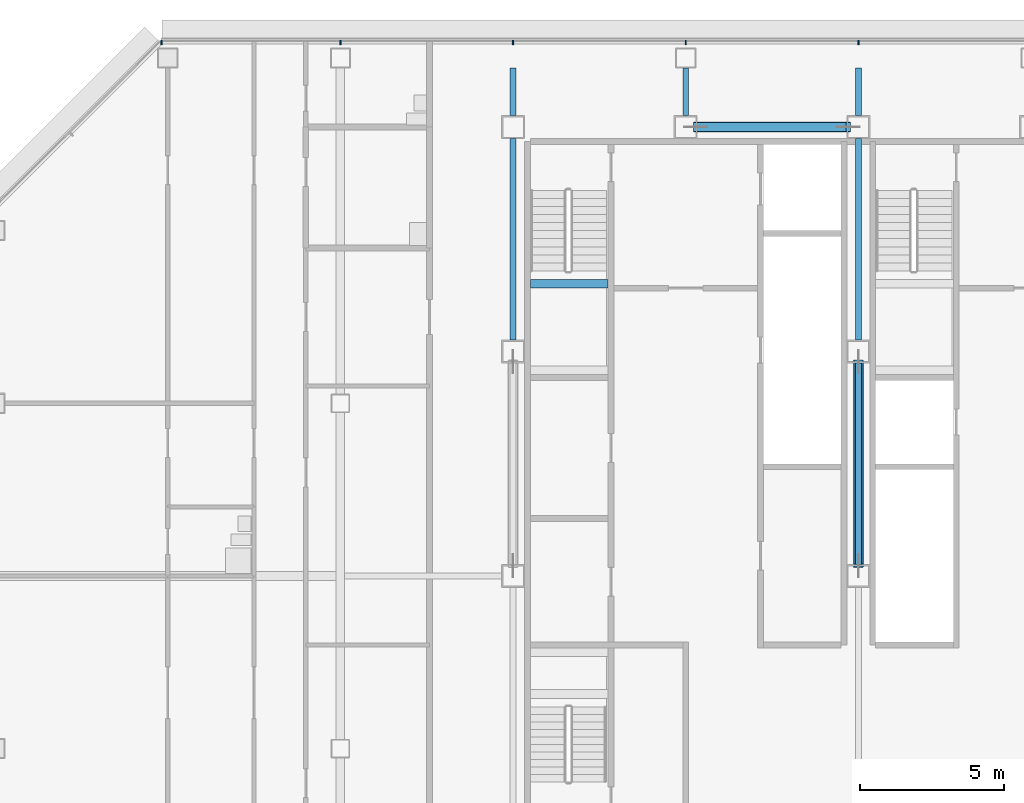
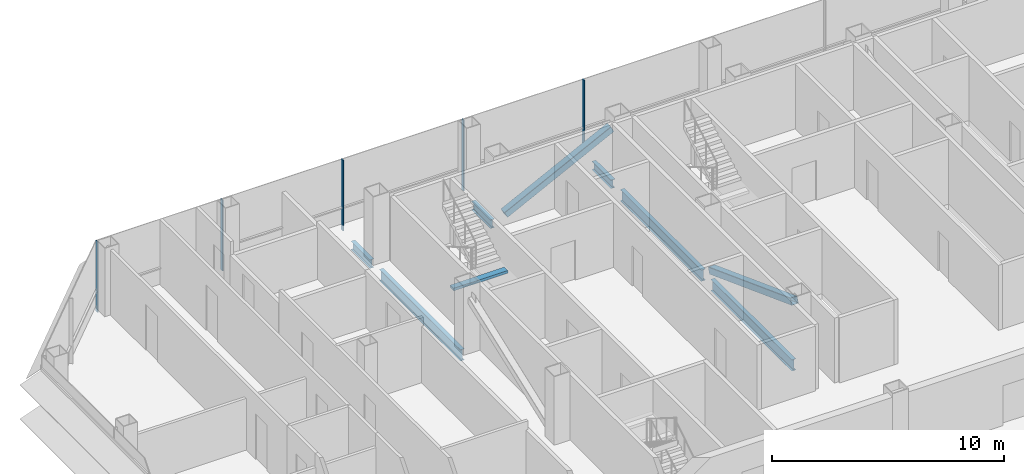
# One storey, part 11 of 27: 7 beams, 7 members, 1 element without a shape of its own.
"""IFC4 building model written with IfcOpenShell, lengths in metres."""

from ifc_helpers import new_model, si_unit, direction, frame, origin, origin_2d, place, context, subcontext, project, spatial, rectangle, hollow_rectangle, i_section, extrude, material, material_profile, profile_set, type_object, element, aggregate, save


model = new_model("IFC4")

# Units and contexts
model_context = context("Model", 3, precision=1e-05, world=origin(), true_north=direction((0.0, 1.0)))
body_context = subcontext(model_context, "Body", "Model", "MODEL_VIEW")
ifc_project = project(units=[si_unit("LENGTHUNIT", "METRE"), si_unit("AREAUNIT", "SQUARE_METRE"), si_unit("VOLUMEUNIT", "CUBIC_METRE"), si_unit("PLANEANGLEUNIT", "RADIAN"), si_unit("MASSUNIT", "GRAM", prefix="KILO")], contexts=[model_context])

# Site, building, storey
site_placement = place(None, origin())
site = spatial("IfcSite", under=ifc_project, at=site_placement, CompositionType="ELEMENT")
building_placement = place(site_placement, origin())
building = spatial("IfcBuilding", under=site, at=building_placement, Name="Sorahane Residences", CompositionType="ELEMENT")
storey_placement = place(building_placement, frame((0.0, 0.0, 192.0)))
storey = spatial("IfcBuildingStorey", under=building, at=storey_placement, Name="L44", CompositionType="ELEMENT", Elevation=192.0)

# Members
ifc_material_1 = material(Name="Steel Q355B", Category="steel")
ifc_material_profile_1 = material_profile(ifc_material_1, hollow_rectangle(XDim=0.35009765625, YDim=0.35009765625, WallThickness=0.01806640625, InnerFilletRadius=0.009033203125, OuterFilletRadius=0.027099609375, at=origin_2d()), Name="RHS 350x350x18")
ifc_profile_set_1 = profile_set([ifc_material_profile_1], Name="Steel Q355B")
member_type_1 = type_object("IfcMemberType", Name="Core brace RHS 350x350x18 Q355B", PredefinedType="BRACE", material=ifc_profile_set_1)
member_1_placement = place(storey_placement, frame((12.352783203125, 45.60009765625, 0.151123046875), z_axis=(0.893039246852, 0.0, 0.449978781258), x_axis=(0.0, 1.0, 0.0)))
element("IfcMember", 1, at=member_1_placement, inside=storey, type_object=member_type_1, Name="Core brace L44 y45.6-2", PredefinedType="BRACE", context=body_context, shape_type="SweptSolid", body=[
    extrude(hollow_rectangle(XDim=0.35009765625, YDim=0.35009765625, WallThickness=0.01806640625, InnerFilletRadius=0.009033203125, OuterFilletRadius=0.027099609375, at=origin_2d()), origin(), (0.0, 0.0, 1.0), 5.928466796875),
])
member_2_placement = place(storey_placement, frame((18.0, 37.436767578125, 0.1611328125), z_axis=(0.0, -0.936540224974, 0.350560133222), x_axis=(1.0, 0.0, 0.0)))
element("IfcMember", 2, at=member_2_placement, inside=storey, type_object=member_type_1, Name="Core brace L44 x18-1", PredefinedType="BRACE", context=body_context, shape_type="SweptSolid", body=[
    extrude(hollow_rectangle(XDim=0.35009765625, YDim=0.35009765625, WallThickness=0.01806640625, InnerFilletRadius=0.009033203125, OuterFilletRadius=0.027099609375, at=origin_2d()), origin(), (0.0, 0.0, 1.0), 7.552734375),
])

# Curtain wall, members
ifc_material_2 = material(Name="Dark low-e glass and black anodised aluminium", Category="aluminium")
curtain_wall_type = type_object("IfcCurtainWallType", Name="Curtain wall CW-1 Typical unitised wall", PredefinedType="NOTDEFINED", material=ifc_material_2)
curtain_wall_placement = place(storey_placement, origin())
curtain_wall = element("IfcCurtainWall", 3, at=curtain_wall_placement, inside=storey, type_object=curtain_wall_type, Name="CW-1 curtain wall L44 N1", PredefinedType="NOTDEFINED")
ifc_material_3 = material(Name="Black anodised aluminium", Category="aluminium")
ifc_material_profile_2 = material_profile(ifc_material_3, rectangle(XDim=0.159912109375, YDim=0.050048828125, at=origin_2d()), Name="Curtain wall mullion CW-1 black anodised aluminium 50x160")
ifc_profile_set_2 = profile_set([ifc_material_profile_2], Name="Black anodised aluminium")
member_type_2 = type_object("IfcMemberType", Name="Curtain wall mullion CW-1 black anodised aluminium 50x160", PredefinedType="MULLION", material=ifc_profile_set_2)
member_3_placement = place(storey_placement, frame((18.0, 48.5400390625, -0.300048828125), z_axis=(0.0, 0.0, 1.0), x_axis=(0.0, 1.0, 0.0)))
member_3 = element("IfcMember", 4, at=member_3_placement, type_object=member_type_2, Name="CW-1 mullion L44 N1.6", PredefinedType="MULLION", context=body_context, shape_type="SweptSolid", body=[
    extrude(rectangle(XDim=0.159912109375, YDim=0.050048828125, at=origin_2d()), origin(), (0.0, 0.0, 1.0), 3.719970703125),
])
member_4_placement = place(storey_placement, frame((12.0, 48.5400390625, -0.300048828125), z_axis=(0.0, 0.0, 1.0), x_axis=(0.0, 1.0, 0.0)))
member_4 = element("IfcMember", 5, at=member_4_placement, type_object=member_type_2, Name="CW-1 mullion L44 N1.7", PredefinedType="MULLION", context=body_context, shape_type="SweptSolid", body=[
    extrude(rectangle(XDim=0.159912109375, YDim=0.050048828125, at=origin_2d()), origin(), (0.0, 0.0, 1.0), 3.719970703125),
])
member_5_placement = place(storey_placement, frame((6.0, 48.5400390625, -0.300048828125), z_axis=(0.0, 0.0, 1.0), x_axis=(0.0, 1.0, 0.0)))
member_5 = element("IfcMember", 6, at=member_5_placement, type_object=member_type_2, Name="CW-1 mullion L44 N1.8", PredefinedType="MULLION", context=body_context, shape_type="SweptSolid", body=[
    extrude(rectangle(XDim=0.159912109375, YDim=0.050048828125, at=origin_2d()), origin(), (0.0, 0.0, 1.0), 3.719970703125),
])
member_6_placement = place(storey_placement, frame((0.0, 48.5400390625, -0.300048828125), z_axis=(0.0, 0.0, 1.0), x_axis=(0.0, 1.0, 0.0)))
member_6 = element("IfcMember", 7, at=member_6_placement, type_object=member_type_2, Name="CW-1 mullion L44 N1.9", PredefinedType="MULLION", context=body_context, shape_type="SweptSolid", body=[
    extrude(rectangle(XDim=0.159912109375, YDim=0.050048828125, at=origin_2d()), origin(), (0.0, 0.0, 1.0), 3.719970703125),
])
member_7_placement = place(storey_placement, frame((-6.2236328125, 48.5400390625, -0.300048828125), z_axis=(0.0, 0.0, 1.0), x_axis=(0.0, 1.0, 0.0)))
member_7 = element("IfcMember", 8, at=member_7_placement, type_object=member_type_2, Name="CW-1 mullion L44 N1.10", PredefinedType="MULLION", context=body_context, shape_type="SweptSolid", body=[
    extrude(rectangle(XDim=0.159912109375, YDim=0.050048828125, at=origin_2d()), origin(), (0.0, 0.0, 1.0), 3.719970703125),
])
aggregate(curtain_wall, [member_3, member_4, member_5, member_6, member_7])

# Beams
ifc_material_4 = material(Name="Concrete C40", Category="concrete")
ifc_material_profile_3 = material_profile(ifc_material_4, rectangle(XDim=0.300048828125, YDim=0.139892578125, at=origin_2d()), Name="300x140")
ifc_profile_set_3 = profile_set([ifc_material_profile_3], Name="Concrete C40")
beam_type_1 = type_object("IfcBeamType", Name="RC landing beam 300 x 140 Concrete C40", PredefinedType="BEAM", material=ifc_profile_set_3)
beam_placement = place(storey_placement, frame((6.60009765625, 40.14990234375, 1.530029296875), z_axis=(1.0, 0.0, 0.0), x_axis=(0.0, 1.0, 0.0)))
element("IfcBeam", 9, at=beam_placement, inside=storey, type_object=beam_type_1, Name="Landing beam", PredefinedType="BEAM", context=body_context, shape_type="SweptSolid", body=[
    extrude(rectangle(XDim=0.300048828125, YDim=0.139892578125, at=origin_2d()), origin(), (0.0, 0.0, 1.0), 2.699951171875),
])
ifc_material_5 = material(Name="Steel Q355B", Category="steel")
ifc_material_profile_4 = material_profile(ifc_material_5, i_section(OverallWidth=0.199951171875, OverallDepth=0.449951171875, WebThickness=0.009033203125, FlangeThickness=0.013916015625, FilletRadius=0.02001953125, at=origin_2d()), Name="HN 450x200x9x14")
ifc_profile_set_4 = profile_set([ifc_material_profile_4], Name="Steel Q355B")
beam_type_2 = type_object("IfcBeamType", Name="Steel floor beam HN 450x200x9x14 Q355B", PredefinedType="BEAM", material=ifc_profile_set_4)
for number, where, z_axis, x_axis, name in (
    (10, (6.0, 46.0, -0.52490234375), (0.0, 1.0, 0.0), (-1.0, 0.0, 0.0), "Beam L44 012"),
    (11, (12.0, 46.0, -0.52490234375), (0.0, 1.0, 0.0), (-1.0, 0.0, 0.0), "Beam L44 015"),
    (12, (18.0, 46.0, -0.52490234375), (0.0, 1.0, 0.0), (-1.0, 0.0, 0.0), "Beam L44 022"),
):
    element("IfcBeam", number, at=place(storey_placement, frame(where, z_axis=z_axis, x_axis=x_axis)), inside=storey, type_object=beam_type_2, Name=name, PredefinedType="BEAM", context=body_context, shape_type="SweptSolid", body=[
        extrude(i_section(OverallWidth=0.199951171875, OverallDepth=0.449951171875, WebThickness=0.009033203125, FlangeThickness=0.013916015625, FilletRadius=0.02001953125, at=origin_2d()), origin(), (0.0, 0.0, 1.0), 1.64990234375),
    ])
ifc_material_6 = material(Name="Steel Q355B", Category="steel")
ifc_material_profile_5 = material_profile(ifc_material_6, i_section(OverallWidth=0.199951171875, OverallDepth=0.60009765625, WebThickness=0.010986328125, FlangeThickness=0.01708984375, FilletRadius=0.02392578125, at=origin_2d()), Name="HN 600x200x11x17")
ifc_profile_set_5 = profile_set([ifc_material_profile_5], Name="Steel Q355B")
beam_type_3 = type_object("IfcBeamType", Name="Steel floor beam HN 600x200x11x17 Q355B", PredefinedType="BEAM", material=ifc_profile_set_5)
for number, where, z_axis, x_axis, name in (
    (13, (6.0, 38.199951171875, -0.60009765625), (0.0, 1.0, 0.0), (-1.0, 0.0, 0.0), "Beam L44 011"),
    (14, (18.0, 30.39990234375, -0.60009765625), (0.0, 1.0, 0.0), (-1.0, 0.0, 0.0), "Beam L44 020"),
    (15, (18.0, 38.199951171875, -0.60009765625), (0.0, 1.0, 0.0), (-1.0, 0.0, 0.0), "Beam L44 021"),
):
    element("IfcBeam", number, at=place(storey_placement, frame(where, z_axis=z_axis, x_axis=x_axis)), inside=storey, type_object=beam_type_3, Name=name, PredefinedType="BEAM", context=body_context, shape_type="SweptSolid", body=[
        extrude(i_section(OverallWidth=0.199951171875, OverallDepth=0.60009765625, WebThickness=0.010986328125, FlangeThickness=0.01708984375, FilletRadius=0.02392578125, at=origin_2d()), origin(), (0.0, 0.0, 1.0), 7.0),
    ])

save(model, "model.ifc")
